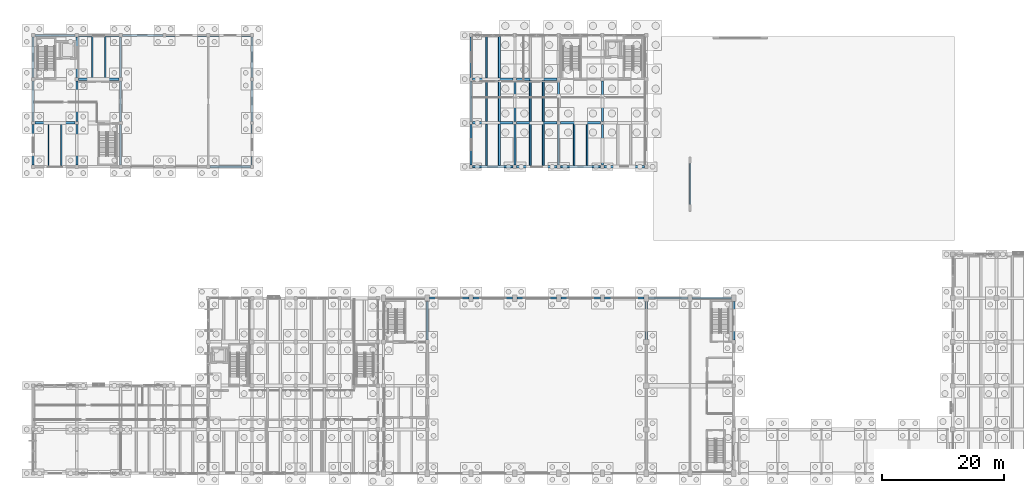
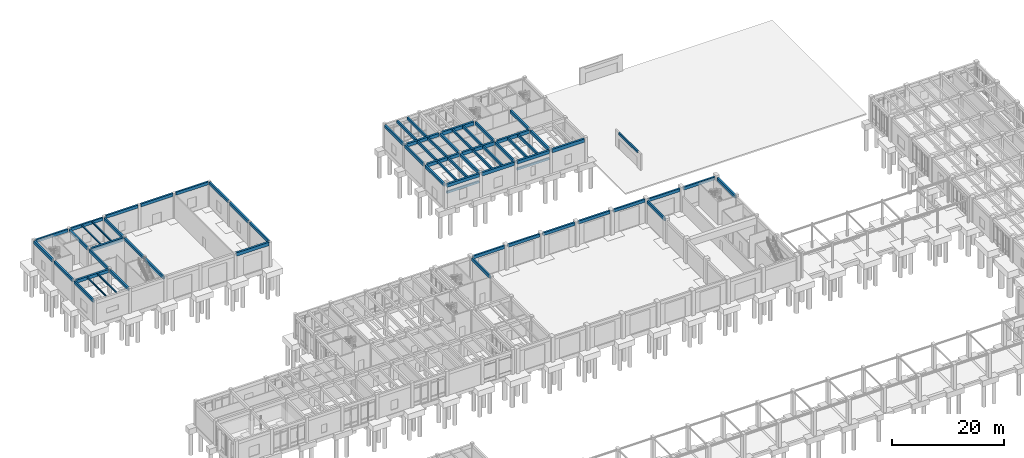
# One storey, part 31 of 93: 67 beams.
"""IFC4 building model written with IfcOpenShell, lengths in metres."""

from ifc_helpers import new_model, si_unit, direction, frame, origin, origin_2d, place, context, subcontext, project, spatial, rectangle, i_section, extrude, material, material_profile, profile_set, type_object, element, save


model = new_model("IFC4")

# Units and contexts
model_context = context("Model", 3, precision=1e-05, world=origin(), true_north=direction((0.0, 1.0)))
body_context = subcontext(model_context, "Body", "Model", "MODEL_VIEW")
ifc_project = project(units=[si_unit("LENGTHUNIT", "METRE"), si_unit("AREAUNIT", "SQUARE_METRE"), si_unit("VOLUMEUNIT", "CUBIC_METRE"), si_unit("PLANEANGLEUNIT", "RADIAN"), si_unit("MASSUNIT", "GRAM", prefix="KILO")], contexts=[model_context])

# Site, building, storey
site_placement = place(None, origin())
site = spatial("IfcSite", under=ifc_project, at=site_placement, CompositionType="ELEMENT")
building_placement = place(site_placement, origin())
building = spatial("IfcBuilding", under=site, at=building_placement, Name="Koriwan Promenade Central Fire Station", CompositionType="ELEMENT")
storey_placement = place(building_placement, origin())
storey = spatial("IfcBuildingStorey", under=building, at=storey_placement, Name="L00", CompositionType="ELEMENT", Elevation=0.0)

# Beams
ifc_material_1 = material(Name="Concrete C35/45", Category="concrete")
ifc_material_profile_1 = material_profile(ifc_material_1, rectangle(XDim=0.300048828125, YDim=0.5, at=origin_2d()), Name="RC-BM-300x500")
ifc_profile_set_1 = profile_set([ifc_material_profile_1], Name="Concrete C35/45")
beam_type_1 = type_object("IfcBeamType", Name="Beam_RC-BM-300x500", PredefinedType="JOIST", material=ifc_profile_set_1)
for number, where, z_axis, x_axis, name in (
    (1, (74.535888671875, 93.800048828125, 4.909912109375), (0.0, 1.0, 0.0), (-1.0, 0.0, 0.0), "V2 L00 secondary joist 111"),
    (2, (74.535888671875, 101.0, 4.909912109375), (0.0, 1.0, 0.0), (-1.0, 0.0, 0.0), "V2 L00 secondary joist 113"),
    (3, (81.736083984375, 101.0, 4.929931640625), (0.0, 1.0, 0.0), (-1.0, 0.0, 0.0), "V2 L00 secondary joist 115"),
):
    element("IfcBeam", number, at=place(storey_placement, frame(where, z_axis=z_axis, x_axis=x_axis)), inside=storey, type_object=beam_type_1, Name=name, PredefinedType="JOIST", context=body_context, shape_type="SweptSolid", body=[
        extrude(rectangle(XDim=0.300048828125, YDim=0.5, at=origin_2d()), origin(), (0.0, 0.0, 1.0), 6.800048828125),
    ])
beam_1_placement = place(storey_placement, frame((74.535888671875, 108.199951171875, 4.909912109375), z_axis=(0.0, 1.0, 0.0), x_axis=(-1.0, 0.0, 0.0)))
element("IfcBeam", 4, at=beam_1_placement, inside=storey, type_object=beam_type_1, Name="V2 L00 secondary joist 117", PredefinedType="JOIST", context=body_context, shape_type="SweptSolid", body=[
    extrude(rectangle(XDim=0.300048828125, YDim=0.5, at=origin_2d()), origin(), (0.0, 0.0, 1.0), 6.824951171875),
])
for number, where, z_axis, x_axis, name in (
    (5, (81.736083984375, 93.800048828125, 4.909912109375), (0.0, 1.0, 0.0), (-1.0, 0.0, 0.0), "V2 L00 smoke chamber secondary joist 1"),
    (6, (88.93603515625, 93.800048828125, 4.909912109375), (0.0, 1.0, 0.0), (-1.0, 0.0, 0.0), "V2 L00 smoke chamber secondary joist 3"),
):
    element("IfcBeam", number, at=place(storey_placement, frame(where, z_axis=z_axis, x_axis=x_axis)), inside=storey, type_object=beam_type_1, Name=name, PredefinedType="JOIST", context=body_context, shape_type="SweptSolid", body=[
        extrude(rectangle(XDim=0.300048828125, YDim=0.5, at=origin_2d()), origin(), (0.0, 0.0, 1.0), 6.800048828125),
    ])
ifc_material_profile_2 = material_profile(ifc_material_1, rectangle(XDim=0.300048828125, YDim=0.550048828125, at=origin_2d()), Name="RC-BM-300x550")
ifc_profile_set_2 = profile_set([ifc_material_profile_2], Name="Concrete C35/45")
beam_type_2 = type_object("IfcBeamType", Name="Beam_RC-BM-300x550", PredefinedType="JOIST", material=ifc_profile_set_2)
for number, where, z_axis, x_axis, name in (
    (7, (76.6640625, 93.800048828125, 4.885009765625), (0.0, 1.0, 0.0), (-1.0, 0.0, 0.0), "V2 L00 secondary joist 112"),
    (8, (76.6640625, 101.0, 4.885009765625), (0.0, 1.0, 0.0), (-1.0, 0.0, 0.0), "V2 L00 secondary joist 114"),
    (9, (83.864013671875, 101.0, 4.905029296875), (0.0, 1.0, 0.0), (-1.0, 0.0, 0.0), "V2 L00 secondary joist 116"),
):
    element("IfcBeam", number, at=place(storey_placement, frame(where, z_axis=z_axis, x_axis=x_axis)), inside=storey, type_object=beam_type_2, Name=name, PredefinedType="JOIST", context=body_context, shape_type="SweptSolid", body=[
        extrude(rectangle(XDim=0.300048828125, YDim=0.550048828125, at=origin_2d()), origin(), (0.0, 0.0, 1.0), 6.800048828125),
    ])
beam_2_placement = place(storey_placement, frame((76.6640625, 108.199951171875, 4.885009765625), z_axis=(0.0, 1.0, 0.0), x_axis=(-1.0, 0.0, 0.0)))
element("IfcBeam", 10, at=beam_2_placement, inside=storey, type_object=beam_type_2, Name="V2 L00 secondary joist 118", PredefinedType="JOIST", context=body_context, shape_type="SweptSolid", body=[
    extrude(rectangle(XDim=0.300048828125, YDim=0.550048828125, at=origin_2d()), origin(), (0.0, 0.0, 1.0), 6.824951171875),
])
for number, where, z_axis, x_axis, name in (
    (11, (83.864013671875, 93.800048828125, 4.885009765625), (0.0, 1.0, 0.0), (-1.0, 0.0, 0.0), "V2 L00 smoke chamber secondary joist 2"),
    (12, (91.06396484375, 93.800048828125, 4.885009765625), (0.0, 1.0, 0.0), (-1.0, 0.0, 0.0), "V2 L00 smoke chamber secondary joist 4"),
):
    element("IfcBeam", number, at=place(storey_placement, frame(where, z_axis=z_axis, x_axis=x_axis)), inside=storey, type_object=beam_type_2, Name=name, PredefinedType="JOIST", context=body_context, shape_type="SweptSolid", body=[
        extrude(rectangle(XDim=0.300048828125, YDim=0.550048828125, at=origin_2d()), origin(), (0.0, 0.0, 1.0), 6.800048828125),
    ])
ifc_material_profile_3 = material_profile(ifc_material_1, rectangle(XDim=0.35009765625, YDim=0.60009765625, at=origin_2d()), Name="RC-BM-350x600")
ifc_profile_set_3 = profile_set([ifc_material_profile_3], Name="Concrete C35/45")
beam_type_3 = type_object("IfcBeamType", Name="Beam_RC-BM-350x600", PredefinedType="BEAM", material=ifc_profile_set_3)
beam_3_placement = place(storey_placement, frame((72.0, 93.875, 4.860107421875), z_axis=(0.0, 1.0, 0.0), x_axis=(-1.0, 0.0, 0.0)))
element("IfcBeam", 13, at=beam_3_placement, inside=storey, type_object=beam_type_3, Name="V2 L00 girder Y-96", PredefinedType="BEAM", context=body_context, shape_type="SweptSolid", body=[
    extrude(rectangle(XDim=0.35009765625, YDim=0.60009765625, at=origin_2d()), origin(), (0.0, 0.0, 1.0), 6.64990234375),
])
for number, where, z_axis, x_axis, name in (
    (14, (72.0, 108.27490234375, 4.860107421875), (0.0, 1.0, 0.0), (-1.0, 0.0, 0.0), "V2 L00 girder Y-98"),
    (15, (79.199951171875, 101.074951171875, 4.8798828125), (0.0, 1.0, 0.0), (-1.0, 0.0, 0.0), "V2 L00 girder Y-100"),
):
    element("IfcBeam", number, at=place(storey_placement, frame(where, z_axis=z_axis, x_axis=x_axis)), inside=storey, type_object=beam_type_3, Name=name, PredefinedType="BEAM", context=body_context, shape_type="SweptSolid", body=[
        extrude(rectangle(XDim=0.35009765625, YDim=0.60009765625, at=origin_2d()), origin(), (0.0, 0.0, 1.0), 6.650146484375),
    ])
beam_4_placement = place(storey_placement, frame((86.39990234375, 93.875, 4.860107421875), z_axis=(0.0, 1.0, 0.0), x_axis=(-1.0, 0.0, 0.0)))
element("IfcBeam", 16, at=beam_4_placement, inside=storey, type_object=beam_type_3, Name="V2 L00 girder Y-102", PredefinedType="BEAM", context=body_context, shape_type="SweptSolid", body=[
    extrude(rectangle(XDim=0.35009765625, YDim=0.60009765625, at=origin_2d()), origin(), (0.0, 0.0, 1.0), 6.64990234375),
])
for number, where, z_axis, x_axis, name in (
    (17, (93.60009765625, 101.074951171875, 4.8798828125), (0.0, 1.0, 0.0), (-1.0, 0.0, 0.0), "V2 L00 girder Y-106"),
    (18, (0.0, 101.074951171875, 4.8798828125), (0.0, 1.0, 0.0), (-1.0, 0.0, 0.0), "V6 L00 girder Y-1030"),
):
    element("IfcBeam", number, at=place(storey_placement, frame(where, z_axis=z_axis, x_axis=x_axis)), inside=storey, type_object=beam_type_3, Name=name, PredefinedType="BEAM", context=body_context, shape_type="SweptSolid", body=[
        extrude(rectangle(XDim=0.35009765625, YDim=0.60009765625, at=origin_2d()), origin(), (0.0, 0.0, 1.0), 6.650146484375),
    ])
beam_5_placement = place(storey_placement, frame((7.199951171875, 93.875, 4.8798828125), z_axis=(0.0, 1.0, 0.0), x_axis=(-1.0, 0.0, 0.0)))
element("IfcBeam", 19, at=beam_5_placement, inside=storey, type_object=beam_type_3, Name="V6 L00 girder Y-1032", PredefinedType="BEAM", context=body_context, shape_type="SweptSolid", body=[
    extrude(rectangle(XDim=0.35009765625, YDim=0.60009765625, at=origin_2d()), origin(), (0.0, 0.0, 1.0), 6.64990234375),
])
for number, where, z_axis, x_axis, name in (
    (20, (7.199951171875, 108.27490234375, 4.8798828125), (0.0, 1.0, 0.0), (-1.0, 0.0, 0.0), "V6 L00 girder Y-1034"),
    (21, (14.39990234375, 101.074951171875, 4.8798828125), (0.0, 1.0, 0.0), (-1.0, 0.0, 0.0), "V6 L00 girder Y-1036"),
):
    element("IfcBeam", number, at=place(storey_placement, frame(where, z_axis=z_axis, x_axis=x_axis)), inside=storey, type_object=beam_type_3, Name=name, PredefinedType="BEAM", context=body_context, shape_type="SweptSolid", body=[
        extrude(rectangle(XDim=0.35009765625, YDim=0.60009765625, at=origin_2d()), origin(), (0.0, 0.0, 1.0), 6.650146484375),
    ])
beam_6_placement = place(storey_placement, frame((36.0, 93.875, 5.10009765625), z_axis=(0.0, 1.0, 0.0), x_axis=(-1.0, 0.0, 0.0)))
element("IfcBeam", 22, at=beam_6_placement, inside=storey, type_object=beam_type_3, Name="V6 L00 girder Y-1038", PredefinedType="BEAM", context=body_context, shape_type="SweptSolid", body=[
    extrude(rectangle(XDim=0.35009765625, YDim=0.60009765625, at=origin_2d()), origin(), (0.0, 0.0, 1.0), 6.64990234375),
])
beam_7_placement = place(storey_placement, frame((36.0, 108.27490234375, 5.10009765625), z_axis=(0.0, 1.0, 0.0), x_axis=(-1.0, 0.0, 0.0)))
element("IfcBeam", 23, at=beam_7_placement, inside=storey, type_object=beam_type_3, Name="V6 L00 girder Y-1040", PredefinedType="BEAM", context=body_context, shape_type="SweptSolid", body=[
    extrude(rectangle(XDim=0.35009765625, YDim=0.60009765625, at=origin_2d()), origin(), (0.0, 0.0, 1.0), 6.650146484375),
])
ifc_material_profile_4 = material_profile(ifc_material_1, rectangle(XDim=0.35009765625, YDim=0.64990234375, at=origin_2d()), Name="RC-BM-350x650")
ifc_profile_set_4 = profile_set([ifc_material_profile_4], Name="Concrete C35/45")
beam_type_4 = type_object("IfcBeamType", Name="Beam_RC-BM-350x650", PredefinedType="BEAM", material=ifc_profile_set_4)
beam_8_placement = place(storey_placement, frame((64.800048828125, 65.10009765625, 4.824951171875), z_axis=(0.0, 1.0, 0.0), x_axis=(-1.0, 0.0, 0.0)))
element("IfcBeam", 24, at=beam_8_placement, inside=storey, type_object=beam_type_4, Name="V1 L00 girder Y-27", PredefinedType="BEAM", context=body_context, shape_type="SweptSolid", body=[
    extrude(rectangle(XDim=0.35009765625, YDim=0.64990234375, at=origin_2d()), origin(), (0.0, 0.0, 1.0), 6.349853515625),
])
beam_9_placement = place(storey_placement, frame((100.800048828125, 65.22509765625, 4.625), z_axis=(0.0, 1.0, 0.0), x_axis=(-1.0, 0.0, 0.0)))
element("IfcBeam", 25, at=beam_9_placement, inside=storey, type_object=beam_type_4, Name="V1 L00 girder Y-31", PredefinedType="BEAM", context=body_context, shape_type="SweptSolid", body=[
    extrude(rectangle(XDim=0.35009765625, YDim=0.64990234375, at=origin_2d()), origin(), (0.0, 0.0, 1.0), 6.224853515625),
])
beam_10_placement = place(storey_placement, frame((115.199951171875, 65.10009765625, 4.625), z_axis=(0.0, 1.0, 0.0), x_axis=(-1.0, 0.0, 0.0)))
element("IfcBeam", 26, at=beam_10_placement, inside=storey, type_object=beam_type_4, Name="V1 L00 girder Y-35", PredefinedType="BEAM", context=body_context, shape_type="SweptSolid", body=[
    extrude(rectangle(XDim=0.35009765625, YDim=0.64990234375, at=origin_2d()), origin(), (0.0, 0.0, 1.0), 6.349853515625),
])
beam_11_placement = place(storey_placement, frame((72.0, 101.074951171875, 4.8349609375), z_axis=(0.0, 1.0, 0.0), x_axis=(-1.0, 0.0, 0.0)))
element("IfcBeam", 27, at=beam_11_placement, inside=storey, type_object=beam_type_4, Name="V2 L00 girder Y-97", PredefinedType="BEAM", context=body_context, shape_type="SweptSolid", body=[
    extrude(rectangle(XDim=0.35009765625, YDim=0.64990234375, at=origin_2d()), origin(), (0.0, 0.0, 1.0), 6.650146484375),
])
beam_12_placement = place(storey_placement, frame((79.199951171875, 93.875, 4.8349609375), z_axis=(0.0, 1.0, 0.0), x_axis=(-1.0, 0.0, 0.0)))
element("IfcBeam", 28, at=beam_12_placement, inside=storey, type_object=beam_type_4, Name="V2 L00 girder Y-99", PredefinedType="BEAM", context=body_context, shape_type="SweptSolid", body=[
    extrude(rectangle(XDim=0.35009765625, YDim=0.64990234375, at=origin_2d()), origin(), (0.0, 0.0, 1.0), 6.64990234375),
])
beam_13_placement = place(storey_placement, frame((86.39990234375, 101.074951171875, 4.85498046875), z_axis=(0.0, 1.0, 0.0), x_axis=(-1.0, 0.0, 0.0)))
element("IfcBeam", 29, at=beam_13_placement, inside=storey, type_object=beam_type_4, Name="V2 L00 girder Y-103", PredefinedType="BEAM", context=body_context, shape_type="SweptSolid", body=[
    extrude(rectangle(XDim=0.35009765625, YDim=0.64990234375, at=origin_2d()), origin(), (0.0, 0.0, 1.0), 6.650146484375),
])
for number, where, z_axis, x_axis, name in (
    (30, (93.60009765625, 93.875, 4.8349609375), (0.0, 1.0, 0.0), (-1.0, 0.0, 0.0), "V2 L00 girder Y-105"),
    (31, (0.0, 93.875, 4.85498046875), (0.0, 1.0, 0.0), (-1.0, 0.0, 0.0), "V6 L00 girder Y-1029"),
):
    element("IfcBeam", number, at=place(storey_placement, frame(where, z_axis=z_axis, x_axis=x_axis)), inside=storey, type_object=beam_type_4, Name=name, PredefinedType="BEAM", context=body_context, shape_type="SweptSolid", body=[
        extrude(rectangle(XDim=0.35009765625, YDim=0.64990234375, at=origin_2d()), origin(), (0.0, 0.0, 1.0), 6.64990234375),
    ])
for number, where, z_axis, x_axis, name in (
    (32, (0.0, 108.27490234375, 4.85498046875), (0.0, 1.0, 0.0), (-1.0, 0.0, 0.0), "V6 L00 girder Y-1031"),
    (33, (7.199951171875, 101.074951171875, 4.85498046875), (0.0, 1.0, 0.0), (-1.0, 0.0, 0.0), "V6 L00 girder Y-1033"),
):
    element("IfcBeam", number, at=place(storey_placement, frame(where, z_axis=z_axis, x_axis=x_axis)), inside=storey, type_object=beam_type_4, Name=name, PredefinedType="BEAM", context=body_context, shape_type="SweptSolid", body=[
        extrude(rectangle(XDim=0.35009765625, YDim=0.64990234375, at=origin_2d()), origin(), (0.0, 0.0, 1.0), 6.650146484375),
    ])
beam_14_placement = place(storey_placement, frame((14.39990234375, 93.875, 4.85498046875), z_axis=(0.0, 1.0, 0.0), x_axis=(-1.0, 0.0, 0.0)))
element("IfcBeam", 34, at=beam_14_placement, inside=storey, type_object=beam_type_4, Name="V6 L00 girder Y-1035", PredefinedType="BEAM", context=body_context, shape_type="SweptSolid", body=[
    extrude(rectangle(XDim=0.35009765625, YDim=0.64990234375, at=origin_2d()), origin(), (0.0, 0.0, 1.0), 6.64990234375),
])
for number, where, z_axis, x_axis, name in (
    (35, (14.39990234375, 108.27490234375, 4.85498046875), (0.0, 1.0, 0.0), (-1.0, 0.0, 0.0), "V6 L00 girder Y-1037"),
    (36, (36.0, 101.074951171875, 5.074951171875), (0.0, 1.0, 0.0), (-1.0, 0.0, 0.0), "V6 L00 girder Y-1039"),
):
    element("IfcBeam", number, at=place(storey_placement, frame(where, z_axis=z_axis, x_axis=x_axis)), inside=storey, type_object=beam_type_4, Name=name, PredefinedType="BEAM", context=body_context, shape_type="SweptSolid", body=[
        extrude(rectangle(XDim=0.35009765625, YDim=0.64990234375, at=origin_2d()), origin(), (0.0, 0.0, 1.0), 6.650146484375),
    ])
ifc_material_profile_5 = material_profile(ifc_material_1, rectangle(XDim=0.39990234375, YDim=0.699951171875, at=origin_2d()), Name="RC-BM-400x700")
ifc_profile_set_5 = profile_set([ifc_material_profile_5], Name="Concrete C35/45")
beam_type_5 = type_object("IfcBeamType", Name="Beam_RC-BM-400x700", PredefinedType="BEAM", material=ifc_profile_set_5)
beam_15_placement = place(storey_placement, frame((72.27490234375, 93.60009765625, 4.81005859375), z_axis=(1.0, 0.0, 0.0), x_axis=(0.0, 1.0, 0.0)))
element("IfcBeam", 37, at=beam_15_placement, inside=storey, type_object=beam_type_5, Name="V2 L00 girder X-82", PredefinedType="BEAM", context=body_context, shape_type="SweptSolid", body=[
    extrude(rectangle(XDim=0.39990234375, YDim=0.699951171875, at=origin_2d()), origin(), (0.0, 0.0, 1.0), 6.650146484375),
])
beam_16_placement = place(storey_placement, frame((86.675048828125, 93.60009765625, 4.81005859375), z_axis=(1.0, 0.0, 0.0), x_axis=(0.0, 1.0, 0.0)))
element("IfcBeam", 38, at=beam_16_placement, inside=storey, type_object=beam_type_5, Name="V2 L00 girder X-84", PredefinedType="BEAM", context=body_context, shape_type="SweptSolid", body=[
    extrude(rectangle(XDim=0.39990234375, YDim=0.699951171875, at=origin_2d()), origin(), (0.0, 0.0, 1.0), 6.64990234375),
])
beam_17_placement = place(storey_placement, frame((72.27490234375, 100.800048828125, 4.81005859375), z_axis=(1.0, 0.0, 0.0), x_axis=(0.0, 1.0, 0.0)))
element("IfcBeam", 39, at=beam_17_placement, inside=storey, type_object=beam_type_5, Name="V2 L00 girder X-86", PredefinedType="BEAM", context=body_context, shape_type="SweptSolid", body=[
    extrude(rectangle(XDim=0.39990234375, YDim=0.699951171875, at=origin_2d()), origin(), (0.0, 0.0, 1.0), 6.650146484375),
])
beam_18_placement = place(storey_placement, frame((86.675048828125, 100.800048828125, 4.830078125), z_axis=(1.0, 0.0, 0.0), x_axis=(0.0, 1.0, 0.0)))
element("IfcBeam", 40, at=beam_18_placement, inside=storey, type_object=beam_type_5, Name="V2 L00 girder X-88", PredefinedType="BEAM", context=body_context, shape_type="SweptSolid", body=[
    extrude(rectangle(XDim=0.39990234375, YDim=0.699951171875, at=origin_2d()), origin(), (0.0, 0.0, 1.0), 6.64990234375),
])
for number, where, z_axis, x_axis, name in (
    (41, (72.27490234375, 108.0, 4.81005859375), (1.0, 0.0, 0.0), (0.0, 1.0, 0.0), "V2 L00 girder X-90"),
    (42, (0.27490234375, 100.800048828125, 4.830078125), (1.0, 0.0, 0.0), (0.0, 1.0, 0.0), "V6 L00 girder X-1022"),
):
    element("IfcBeam", number, at=place(storey_placement, frame(where, z_axis=z_axis, x_axis=x_axis)), inside=storey, type_object=beam_type_5, Name=name, PredefinedType="BEAM", context=body_context, shape_type="SweptSolid", body=[
        extrude(rectangle(XDim=0.39990234375, YDim=0.699951171875, at=origin_2d()), origin(), (0.0, 0.0, 1.0), 6.650146484375),
    ])
ifc_material_profile_6 = material_profile(ifc_material_1, rectangle(XDim=0.39990234375, YDim=0.75, at=origin_2d()), Name="RC-BM-400x750")
ifc_profile_set_6 = profile_set([ifc_material_profile_6], Name="Concrete C35/45")
beam_type_6 = type_object("IfcBeamType", Name="Beam_RC-BM-400x750", PredefinedType="BEAM", material=ifc_profile_set_6)
for number, where, z_axis, x_axis, name in (
    (43, (79.47509765625, 93.60009765625, 4.784912109375), (1.0, 0.0, 0.0), (0.0, 1.0, 0.0), "V2 L00 girder X-83"),
    (44, (93.875, 93.60009765625, 4.784912109375), (1.0, 0.0, 0.0), (0.0, 1.0, 0.0), "V2 L00 girder X-85"),
    (45, (79.47509765625, 100.800048828125, 4.804931640625), (1.0, 0.0, 0.0), (0.0, 1.0, 0.0), "V2 L00 girder X-87"),
    (46, (79.47509765625, 108.0, 4.804931640625), (1.0, 0.0, 0.0), (0.0, 1.0, 0.0), "V2 L00 girder X-91"),
):
    element("IfcBeam", number, at=place(storey_placement, frame(where, z_axis=z_axis, x_axis=x_axis)), inside=storey, type_object=beam_type_6, Name=name, PredefinedType="BEAM", context=body_context, shape_type="SweptSolid", body=[
        extrude(rectangle(XDim=0.39990234375, YDim=0.75, at=origin_2d()), origin(), (0.0, 0.0, 1.0), 6.64990234375),
    ])
beam_19_placement = place(storey_placement, frame((29.074951171875, 93.60009765625, 5.02490234375), z_axis=(1.0, 0.0, 0.0), x_axis=(0.0, 1.0, 0.0)))
element("IfcBeam", 47, at=beam_19_placement, inside=storey, type_object=beam_type_6, Name="V6 L00 girder X-1021", PredefinedType="BEAM", context=body_context, shape_type="SweptSolid", body=[
    extrude(rectangle(XDim=0.39990234375, YDim=0.75, at=origin_2d()), origin(), (0.0, 0.0, 1.0), 6.650146484375),
])
beam_20_placement = place(storey_placement, frame((7.47509765625, 108.0, 4.804931640625), z_axis=(1.0, 0.0, 0.0), x_axis=(0.0, 1.0, 0.0)))
element("IfcBeam", 48, at=beam_20_placement, inside=storey, type_object=beam_type_6, Name="V6 L00 girder X-1023", PredefinedType="BEAM", context=body_context, shape_type="SweptSolid", body=[
    extrude(rectangle(XDim=0.39990234375, YDim=0.75, at=origin_2d()), origin(), (0.0, 0.0, 1.0), 6.64990234375),
])
ifc_material_profile_7 = material_profile(ifc_material_1, rectangle(XDim=0.300048828125, YDim=0.449951171875, at=origin_2d()), Name="RC-LN-300x450")
ifc_profile_set_7 = profile_set([ifc_material_profile_7], Name="Concrete C35/45")
beam_type_7 = type_object("IfcBeamType", Name="Beam_RC-LN-300x450", PredefinedType="LINTEL", material=ifc_profile_set_7)
beam_21_placement = place(storey_placement, frame((108.0, 87.39990234375, 3.324951171875), z_axis=(0.0, 1.0, 0.0), x_axis=(-1.0, 0.0, 0.0)))
element("IfcBeam", 49, at=beam_21_placement, inside=storey, type_object=beam_type_7, Name="Opening lintel LNT_PK_EXIT", PredefinedType="LINTEL", context=body_context, shape_type="SweptSolid", body=[
    extrude(rectangle(XDim=0.300048828125, YDim=0.449951171875, at=origin_2d()), origin(), (0.0, 0.0, 1.0), 6.7001953125),
])
beam_22_placement = place(storey_placement, frame((72.27490234375, 93.60009765625, 3.324951171875), z_axis=(1.0, 0.0, 0.0), x_axis=(0.0, 1.0, 0.0)))
element("IfcBeam", 50, at=beam_22_placement, inside=storey, type_object=beam_type_7, Name="Opening lintel LNT_V2_SMK1", PredefinedType="LINTEL", context=body_context, shape_type="SweptSolid", body=[
    extrude(rectangle(XDim=0.300048828125, YDim=0.449951171875, at=origin_2d()), origin(), (0.0, 0.0, 1.0), 6.650146484375),
])
beam_23_placement = place(storey_placement, frame((86.675048828125, 93.60009765625, 3.324951171875), z_axis=(1.0, 0.0, 0.0), x_axis=(0.0, 1.0, 0.0)))
element("IfcBeam", 51, at=beam_23_placement, inside=storey, type_object=beam_type_7, Name="Opening lintel LNT_V2_MAZ1", PredefinedType="LINTEL", context=body_context, shape_type="SweptSolid", body=[
    extrude(rectangle(XDim=0.300048828125, YDim=0.449951171875, at=origin_2d()), origin(), (0.0, 0.0, 1.0), 6.64990234375),
])
ifc_material_profile_8 = material_profile(ifc_material_1, rectangle(XDim=0.35009765625, YDim=0.64990234375, at=origin_2d()), Name="RC-SP-350x650")
ifc_profile_set_8 = profile_set([ifc_material_profile_8], Name="Concrete C35/45")
beam_type_8 = type_object("IfcBeamType", Name="Beam_RC-SP-350x650", PredefinedType="SPANDREL", material=ifc_profile_set_8)
for number, where, z_axis, x_axis, name in (
    (52, (65.14990234375, 72.0, 4.824951171875), (1.0, 0.0, 0.0), (0.0, 1.0, 0.0), "V1 L00 girder X-13"),
    (53, (72.35009765625, 72.0, 4.824951171875), (1.0, 0.0, 0.0), (0.0, 1.0, 0.0), "V1 L00 girder X-14"),
    (54, (79.550048828125, 72.0, 4.824951171875), (1.0, 0.0, 0.0), (0.0, 1.0, 0.0), "V1 L00 girder X-15"),
    (55, (86.75, 72.0, 4.824951171875), (1.0, 0.0, 0.0), (0.0, 1.0, 0.0), "V1 L00 girder X-16"),
    (56, (93.949951171875, 72.0, 4.824951171875), (1.0, 0.0, 0.0), (0.0, 1.0, 0.0), "V1 L00 girder X-17"),
    (57, (101.14990234375, 72.0, 4.625), (1.0, 0.0, 0.0), (0.0, 1.0, 0.0), "V1 L00 girder X-18"),
    (58, (108.35009765625, 72.0, 4.625), (1.0, 0.0, 0.0), (0.0, 1.0, 0.0), "V1 L00 girder X-19"),
):
    element("IfcBeam", number, at=place(storey_placement, frame(where, z_axis=z_axis, x_axis=x_axis)), inside=storey, type_object=beam_type_8, Name=name, PredefinedType="SPANDREL", context=body_context, shape_type="SweptSolid", body=[
        extrude(rectangle(XDim=0.35009765625, YDim=0.64990234375, at=origin_2d()), origin(), (0.0, 0.0, 1.0), 6.5),
    ])
beam_24_placement = place(storey_placement, frame((0.27490234375, 115.199951171875, 4.85498046875), z_axis=(1.0, 0.0, 0.0), x_axis=(0.0, 1.0, 0.0)))
element("IfcBeam", 59, at=beam_24_placement, inside=storey, type_object=beam_type_8, Name="V6 L00 girder X-1024", PredefinedType="SPANDREL", context=body_context, shape_type="SweptSolid", body=[
    extrude(rectangle(XDim=0.35009765625, YDim=0.64990234375, at=origin_2d()), origin(), (0.0, 0.0, 1.0), 6.650146484375),
])
for number, where, z_axis, x_axis, name in (
    (60, (7.47509765625, 115.199951171875, 4.85498046875), (1.0, 0.0, 0.0), (0.0, 1.0, 0.0), "V6 L00 girder X-1025"),
    (61, (14.675048828125, 115.199951171875, 5.074951171875), (1.0, 0.0, 0.0), (0.0, 1.0, 0.0), "V6 L00 girder X-1026"),
    (62, (21.875, 115.199951171875, 5.074951171875), (1.0, 0.0, 0.0), (0.0, 1.0, 0.0), "V6 L00 girder X-1027"),
):
    element("IfcBeam", number, at=place(storey_placement, frame(where, z_axis=z_axis, x_axis=x_axis)), inside=storey, type_object=beam_type_8, Name=name, PredefinedType="SPANDREL", context=body_context, shape_type="SweptSolid", body=[
        extrude(rectangle(XDim=0.35009765625, YDim=0.64990234375, at=origin_2d()), origin(), (0.0, 0.0, 1.0), 6.64990234375),
    ])
beam_25_placement = place(storey_placement, frame((29.074951171875, 115.199951171875, 5.074951171875), z_axis=(1.0, 0.0, 0.0), x_axis=(0.0, 1.0, 0.0)))
element("IfcBeam", 63, at=beam_25_placement, inside=storey, type_object=beam_type_8, Name="V6 L00 girder X-1028", PredefinedType="SPANDREL", context=body_context, shape_type="SweptSolid", body=[
    extrude(rectangle(XDim=0.35009765625, YDim=0.64990234375, at=origin_2d()), origin(), (0.0, 0.0, 1.0), 6.650146484375),
])
ifc_material_2 = material(Name="Steel ASTM A992 Grade 50", Category="steel")
ifc_material_profile_9 = material_profile(ifc_material_2, i_section(OverallWidth=0.202880859375, OverallDepth=0.251953125, WebThickness=0.008056640625, FlangeThickness=0.013427734375, FilletRadius=0.012939453125, at=origin_2d()), Name="W250x58")
ifc_profile_set_9 = profile_set([ifc_material_profile_9], Name="Steel ASTM A992 Grade 50")
beam_type_9 = type_object("IfcBeamType", Name="SteelBeam_W250x58", PredefinedType="JOIST", material=ifc_profile_set_9)
beam_26_placement = place(storey_placement, frame((2.535888671875, 93.800048828125, 5.053955078125), z_axis=(0.0, 1.0, 0.0), x_axis=(-1.0, 0.0, 0.0)))
element("IfcBeam", 64, at=beam_26_placement, inside=storey, type_object=beam_type_9, Name="V6 L00 secondary joist 1041", PredefinedType="JOIST", context=body_context, shape_type="SweptSolid", body=[
    extrude(i_section(OverallWidth=0.202880859375, OverallDepth=0.251953125, WebThickness=0.008056640625, FlangeThickness=0.013427734375, FilletRadius=0.012939453125, at=origin_2d()), origin(), (0.0, 0.0, 1.0), 6.800048828125),
])
beam_27_placement = place(storey_placement, frame((9.736083984375, 108.199951171875, 5.053955078125), z_axis=(0.0, 1.0, 0.0), x_axis=(-1.0, 0.0, 0.0)))
element("IfcBeam", 65, at=beam_27_placement, inside=storey, type_object=beam_type_9, Name="V6 L00 secondary joist 1043", PredefinedType="JOIST", context=body_context, shape_type="SweptSolid", body=[
    extrude(i_section(OverallWidth=0.202880859375, OverallDepth=0.251953125, WebThickness=0.008056640625, FlangeThickness=0.013427734375, FilletRadius=0.012939453125, at=origin_2d()), origin(), (0.0, 0.0, 1.0), 6.824951171875),
])
ifc_material_profile_10 = material_profile(ifc_material_2, i_section(OverallWidth=0.25390625, OverallDepth=0.2529296875, WebThickness=0.008544921875, FlangeThickness=0.01416015625, FilletRadius=0.012939453125, at=origin_2d()), Name="W250x73")
ifc_profile_set_10 = profile_set([ifc_material_profile_10], Name="Steel ASTM A992 Grade 50")
beam_type_10 = type_object("IfcBeamType", Name="SteelBeam_W250x73", PredefinedType="JOIST", material=ifc_profile_set_10)
beam_28_placement = place(storey_placement, frame((4.6640625, 93.800048828125, 5.053466796875), z_axis=(0.0, 1.0, 0.0), x_axis=(-1.0, 0.0, 0.0)))
element("IfcBeam", 66, at=beam_28_placement, inside=storey, type_object=beam_type_10, Name="V6 L00 secondary joist 1042", PredefinedType="JOIST", context=body_context, shape_type="SweptSolid", body=[
    extrude(i_section(OverallWidth=0.25390625, OverallDepth=0.2529296875, WebThickness=0.008544921875, FlangeThickness=0.01416015625, FilletRadius=0.012939453125, at=origin_2d()), origin(), (0.0, 0.0, 1.0), 6.800048828125),
])
beam_29_placement = place(storey_placement, frame((11.864013671875, 108.199951171875, 5.053466796875), z_axis=(0.0, 1.0, 0.0), x_axis=(-1.0, 0.0, 0.0)))
element("IfcBeam", 67, at=beam_29_placement, inside=storey, type_object=beam_type_10, Name="V6 L00 secondary joist 1044", PredefinedType="JOIST", context=body_context, shape_type="SweptSolid", body=[
    extrude(i_section(OverallWidth=0.25390625, OverallDepth=0.2529296875, WebThickness=0.008544921875, FlangeThickness=0.01416015625, FilletRadius=0.012939453125, at=origin_2d()), origin(), (0.0, 0.0, 1.0), 6.824951171875),
])

save(model, "model.ifc")
